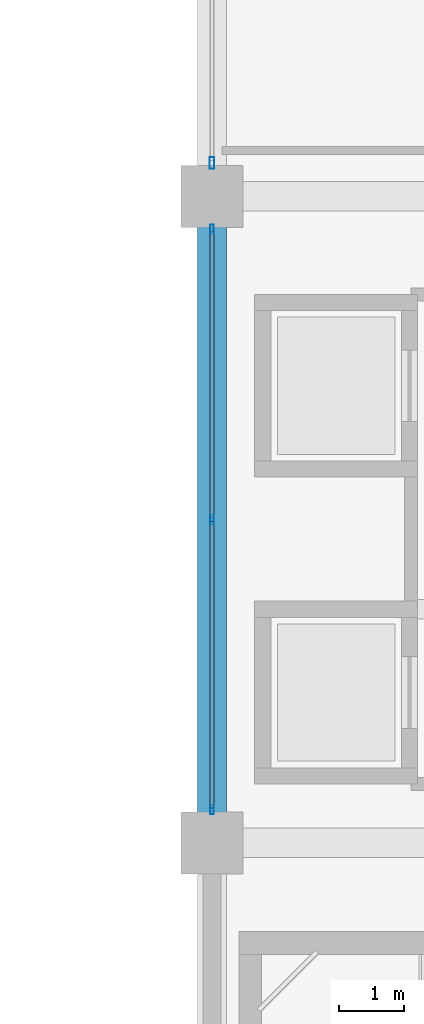
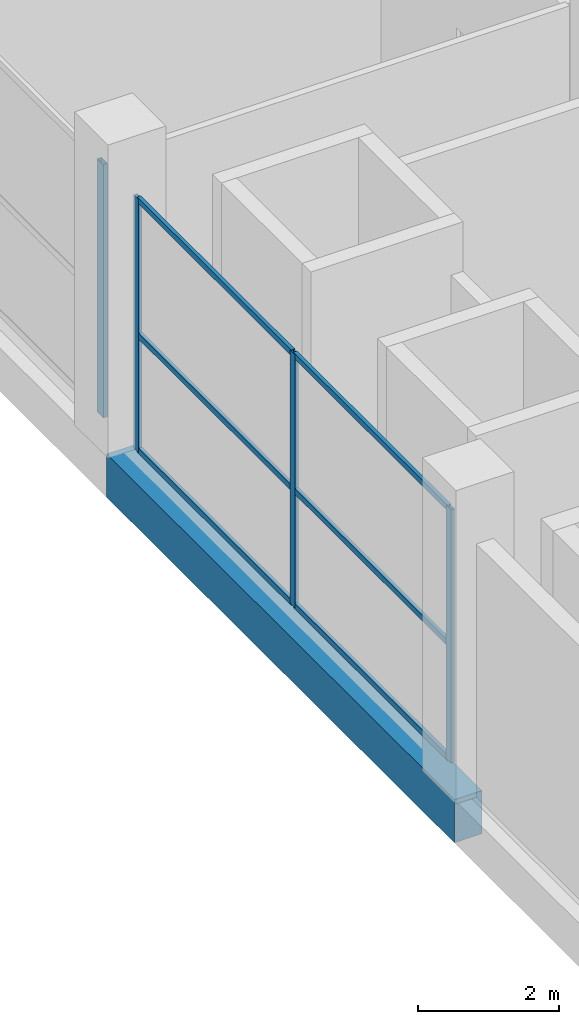
# One storey, part 4 of 50: 10 members, 1 beam, 2 elements without a shape of their own.
"""IFC4 building model written with IfcOpenShell, lengths in metres."""

from ifc_helpers import new_model, si_unit, direction, frame, origin, origin_2d, place, context, subcontext, project, spatial, rectangle, hollow_rectangle, extrude, material, layer, layer_set, material_profile, profile_set, type_object, element, aggregate, save


model = new_model("IFC4")

# Units and contexts
model_context = context("Model", 3, precision=1e-05, world=origin(), true_north=direction((0.0, 1.0)))
body_context = subcontext(model_context, "Body", "Model", "MODEL_VIEW")
ifc_project = project(units=[si_unit("LENGTHUNIT", "METRE"), si_unit("AREAUNIT", "SQUARE_METRE"), si_unit("VOLUMEUNIT", "CUBIC_METRE"), si_unit("PLANEANGLEUNIT", "RADIAN"), si_unit("MASSUNIT", "GRAM", prefix="KILO")], contexts=[model_context])

# Site, building, storey
site_placement = place(None, origin())
site = spatial("IfcSite", under=ifc_project, at=site_placement, CompositionType="ELEMENT")
building_placement = place(site_placement, origin())
building = spatial("IfcBuilding", under=site, at=building_placement, Name="Sillaruma Civic Art Gallery", CompositionType="ELEMENT")
storey_placement = place(building_placement, origin())
storey = spatial("IfcBuildingStorey", under=building, at=storey_placement, Name="L00", CompositionType="ELEMENT", Elevation=0.0)

# Beam
ifc_material_1 = material(Name="Concrete H40 (40 MPa)", Category="concrete")
ifc_material_profile_1 = material_profile(ifc_material_1, rectangle(XDim=0.449951171875, YDim=0.75, at=origin_2d()), Name="RCB450x750")
ifc_profile_set_1 = profile_set([ifc_material_profile_1], Name="Concrete H40 (40 MPa)")
beam_type = type_object("IfcBeamType", Name="BM-BEAM-RCB450x750", PredefinedType="BEAM", material=ifc_profile_set_1)
beam_placement = place(storey_placement, frame((62.0, 39.60009765625, -0.675048828125), z_axis=(0.0, 1.0, 0.0), x_axis=(-1.0, 0.0, 0.0)))
element("IfcBeam", 1, at=beam_placement, inside=storey, type_object=beam_type, Name="Beam BM-03 (B01:F:5-6)", PredefinedType="BEAM", context=body_context, shape_type="SweptSolid", body=[
    extrude(rectangle(XDim=0.449951171875, YDim=0.75, at=origin_2d()), origin(), (0.0, 0.0, 1.0), 9.89990234375),
])

# Curtain wall, members
ifc_material_2 = material(Name="Thermally Broken Extruded Aluminium 6063-T6", Category="aluminium")
ifc_layer_1 = layer(ifc_material_2, 0.139892578125, Name="Thermally Broken Extruded Aluminium 6063-T6")
ifc_layer_set_1 = layer_set([ifc_layer_1], Name="Thermally Broken Extruded Aluminium 6063-T6")
curtain_wall_type_1 = type_object("IfcCurtainWallType", Name="CW-UNI-01", PredefinedType="NOTDEFINED", material=ifc_layer_set_1)
curtain_wall_1_placement = place(storey_placement, origin())
curtain_wall_1 = element("IfcCurtainWall", 2, at=curtain_wall_1_placement, inside=storey, type_object=curtain_wall_type_1, Name="Unitised Curtain Wall CW-01 (CW-L00-SPW-3)", PredefinedType="NOTDEFINED")
ifc_material_profile_2 = material_profile(ifc_material_2, hollow_rectangle(XDim=0.06005859375, YDim=0.139892578125, WallThickness=0.00341796875, at=origin_2d()), Name="CWM60x140")
ifc_profile_set_2 = profile_set([ifc_material_profile_2], Name="Thermally Broken Extruded Aluminium 6063-T6")
member_type_1 = type_object("IfcMemberType", Name="MEM-MUL-CWM60x140", PredefinedType="MULLION", material=ifc_profile_set_2)
member_1_placement = place(storey_placement, frame((62.0, 40.10498046875, 0.0), z_axis=(0.0, 0.0, 1.0), x_axis=(-1.0, 0.0, 0.0)))
member_1 = element("IfcMember", 3, at=member_1_placement, type_object=member_type_1, Name="CW-01 mullion 1", PredefinedType="MULLION", context=body_context, shape_type="SweptSolid", body=[
    extrude(hollow_rectangle(XDim=0.06005859375, YDim=0.139892578125, WallThickness=0.00341796875, at=origin_2d()), origin(), (0.0, 0.0, 1.0), 4.39990234375),
])
member_2_placement = place(storey_placement, frame((62.0, 44.550048828125, 0.0), z_axis=(0.0, 0.0, 1.0), x_axis=(-1.0, 0.0, 0.0)))
member_2 = element("IfcMember", 4, at=member_2_placement, type_object=member_type_1, Name="CW-01 mullion 2", PredefinedType="MULLION", context=body_context, shape_type="SweptSolid", body=[
    extrude(hollow_rectangle(XDim=0.06005859375, YDim=0.139892578125, WallThickness=0.00341796875, at=origin_2d()), origin(), (0.0, 0.0, 1.0), 4.39990234375),
])
member_3_placement = place(storey_placement, frame((62.0, 48.9951171875, 0.0), z_axis=(0.0, 0.0, 1.0), x_axis=(-1.0, 0.0, 0.0)))
member_3 = element("IfcMember", 5, at=member_3_placement, type_object=member_type_1, Name="CW-01 mullion 3", PredefinedType="MULLION", context=body_context, shape_type="SweptSolid", body=[
    extrude(hollow_rectangle(XDim=0.06005859375, YDim=0.139892578125, WallThickness=0.00341796875, at=origin_2d()), origin(), (0.0, 0.0, 1.0), 4.39990234375),
])

# Curtain wall, member
ifc_layer_2 = layer(ifc_material_2, 0.179931640625, Name="Thermally Broken Extruded Aluminium 6063-T6")
ifc_layer_set_2 = layer_set([ifc_layer_2], Name="Thermally Broken Extruded Aluminium 6063-T6")
curtain_wall_type_2 = type_object("IfcCurtainWallType", Name="CW-UNI-03", PredefinedType="NOTDEFINED", material=ifc_layer_set_2)
curtain_wall_2_placement = place(storey_placement, origin())
curtain_wall_2 = element("IfcCurtainWall", 6, at=curtain_wall_2_placement, inside=storey, type_object=curtain_wall_type_2, Name="Unitised Curtain Wall CW-03 (CW-L00-SPW-4)", PredefinedType="NOTDEFINED")
ifc_material_profile_3 = material_profile(ifc_material_2, hollow_rectangle(XDim=0.070068359375, YDim=0.179931640625, WallThickness=0.00390625, at=origin_2d()), Name="CWM70x180")
ifc_profile_set_3 = profile_set([ifc_material_profile_3], Name="Thermally Broken Extruded Aluminium 6063-T6")
member_type_2 = type_object("IfcMemberType", Name="MEM-MUL-CWM70x180", PredefinedType="MULLION", material=ifc_profile_set_3)
member_4_placement = place(storey_placement, frame((62.0, 50.010009765625, 0.0), z_axis=(0.0, 0.0, 1.0), x_axis=(-1.0, 0.0, 0.0)))
member_4 = element("IfcMember", 7, at=member_4_placement, type_object=member_type_2, Name="CW-03 mullion 1", PredefinedType="MULLION", context=body_context, shape_type="SweptSolid", body=[
    extrude(hollow_rectangle(XDim=0.070068359375, YDim=0.179931640625, WallThickness=0.00390625, at=origin_2d()), origin(), (0.0, 0.0, 1.0), 4.39990234375),
])
aggregate(curtain_wall_2, [member_4])

# Member
ifc_material_profile_4 = material_profile(ifc_material_2, hollow_rectangle(XDim=0.06005859375, YDim=0.10009765625, WallThickness=0.003173828125, at=origin_2d()), Name="CWT60x100")
ifc_profile_set_4 = profile_set([ifc_material_profile_4], Name="Thermally Broken Extruded Aluminium 6063-T6")
member_type_3 = type_object("IfcMemberType", Name="MEM-TRN-CWT60x100", PredefinedType="USERDEFINED", material=ifc_profile_set_4)
member_5_placement = place(storey_placement, frame((62.0, 40.135009765625, 0.030029296875), z_axis=(0.0, 1.0, 0.0), x_axis=(-1.0, 0.0, 0.0)))
member_5 = element("IfcMember", 8, at=member_5_placement, type_object=member_type_3, Name="CW-01 transom 1.1", ObjectType="TRANSOM", PredefinedType="USERDEFINED", context=body_context, shape_type="SweptSolid", body=[
    extrude(hollow_rectangle(XDim=0.06005859375, YDim=0.10009765625, WallThickness=0.003173828125, at=origin_2d()), origin(), (0.0, 0.0, 1.0), 4.385009765625),
])

member_6_placement = place(storey_placement, frame((62.0, 40.135009765625, 2.02392578125), z_axis=(0.0, 1.0, 0.0), x_axis=(-1.0, 0.0, 0.0)))
member_6 = element("IfcMember", 9, at=member_6_placement, type_object=member_type_3, Name="CW-01 transom 1.2", ObjectType="TRANSOM", PredefinedType="USERDEFINED", context=body_context, shape_type="SweptSolid", body=[
    extrude(hollow_rectangle(XDim=0.06005859375, YDim=0.10009765625, WallThickness=0.003173828125, at=origin_2d()), origin(), (0.0, 0.0, 1.0), 4.385009765625),
])

member_7_placement = place(storey_placement, frame((62.0, 40.135009765625, 4.3701171875), z_axis=(0.0, 1.0, 0.0), x_axis=(-1.0, 0.0, 0.0)))
member_7 = element("IfcMember", 10, at=member_7_placement, type_object=member_type_3, Name="CW-01 transom 1.3", ObjectType="TRANSOM", PredefinedType="USERDEFINED", context=body_context, shape_type="SweptSolid", body=[
    extrude(hollow_rectangle(XDim=0.06005859375, YDim=0.10009765625, WallThickness=0.003173828125, at=origin_2d()), origin(), (0.0, 0.0, 1.0), 4.385009765625),
])

member_8_placement = place(storey_placement, frame((62.0, 44.580078125, 0.030029296875), z_axis=(0.0, 1.0, 0.0), x_axis=(-1.0, 0.0, 0.0)))
member_8 = element("IfcMember", 11, at=member_8_placement, type_object=member_type_3, Name="CW-01 transom 2.1", ObjectType="TRANSOM", PredefinedType="USERDEFINED", context=body_context, shape_type="SweptSolid", body=[
    extrude(hollow_rectangle(XDim=0.06005859375, YDim=0.10009765625, WallThickness=0.003173828125, at=origin_2d()), origin(), (0.0, 0.0, 1.0), 4.385009765625),
])

member_9_placement = place(storey_placement, frame((62.0, 44.580078125, 2.02392578125), z_axis=(0.0, 1.0, 0.0), x_axis=(-1.0, 0.0, 0.0)))
member_9 = element("IfcMember", 12, at=member_9_placement, type_object=member_type_3, Name="CW-01 transom 2.2", ObjectType="TRANSOM", PredefinedType="USERDEFINED", context=body_context, shape_type="SweptSolid", body=[
    extrude(hollow_rectangle(XDim=0.06005859375, YDim=0.10009765625, WallThickness=0.003173828125, at=origin_2d()), origin(), (0.0, 0.0, 1.0), 4.385009765625),
])

member_10_placement = place(storey_placement, frame((62.0, 44.580078125, 4.3701171875), z_axis=(0.0, 1.0, 0.0), x_axis=(-1.0, 0.0, 0.0)))
member_10 = element("IfcMember", 13, at=member_10_placement, type_object=member_type_3, Name="CW-01 transom 2.3", ObjectType="TRANSOM", PredefinedType="USERDEFINED", context=body_context, shape_type="SweptSolid", body=[
    extrude(hollow_rectangle(XDim=0.06005859375, YDim=0.10009765625, WallThickness=0.003173828125, at=origin_2d()), origin(), (0.0, 0.0, 1.0), 4.385009765625),
])

aggregate(curtain_wall_1, [member_1, member_2, member_3, member_5, member_6, member_7, member_8, member_9, member_10])

save(model, "model.ifc")
